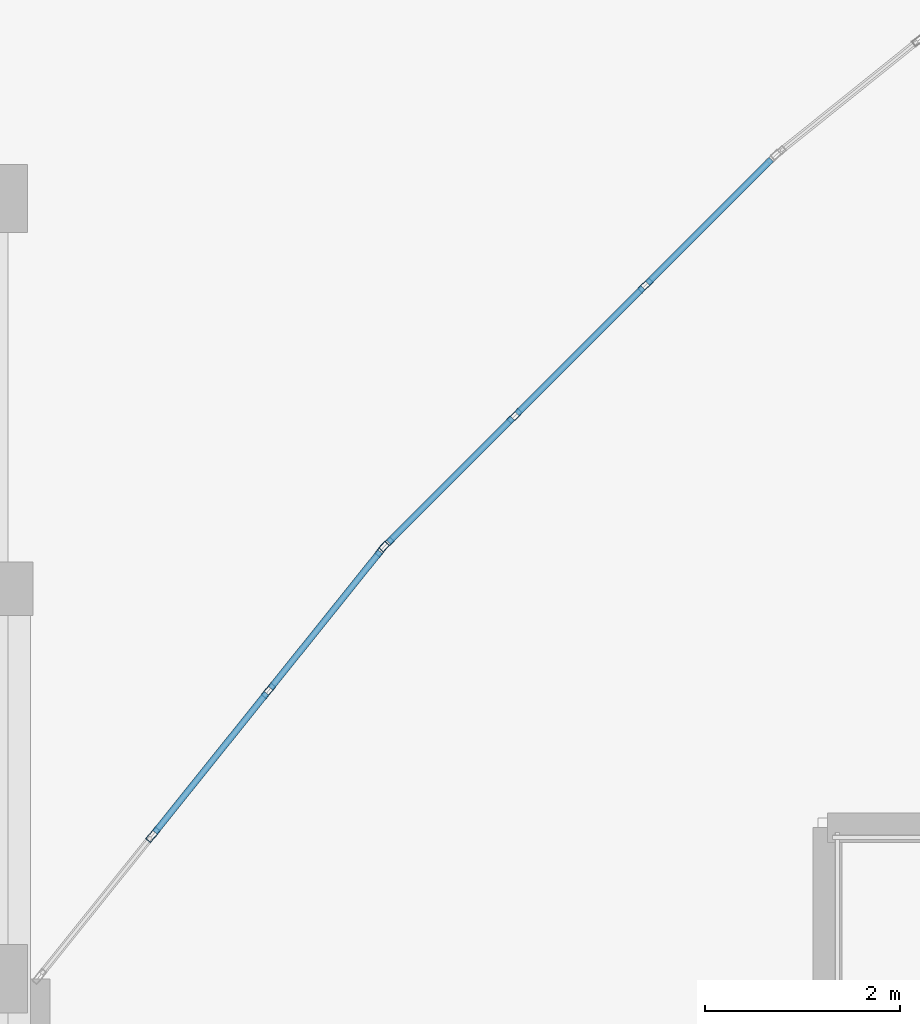
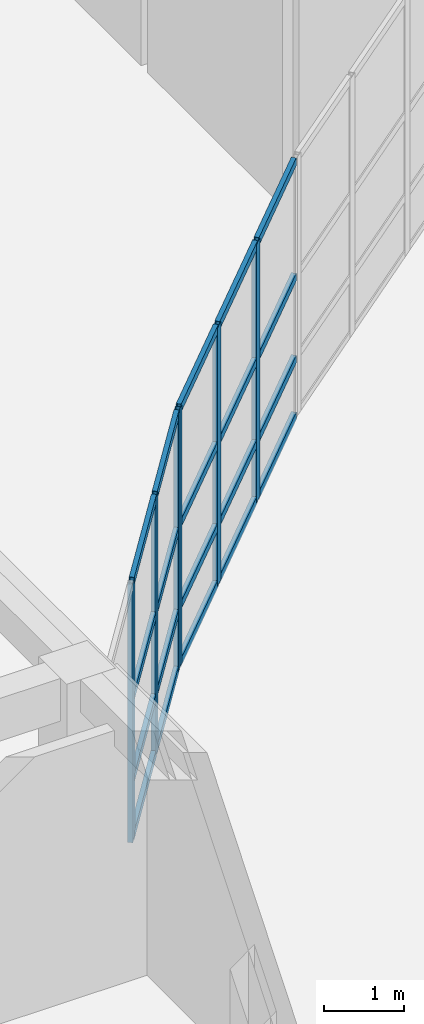
# One storey, part 40 of 114: 26 members, 2 elements without a shape of their own.
"""IFC4 building model written with IfcOpenShell, lengths in metres."""

from ifc_helpers import new_model, si_unit, direction, frame, origin, origin_2d, place, context, subcontext, project, spatial, hollow_rectangle, extrude, material, layer, layer_set, material_profile, profile_set, type_object, element, aggregate, save


model = new_model("IFC4")

# Units and contexts
model_context = context("Model", 3, precision=1e-05, world=origin(), true_north=direction((0.0, 1.0)))
body_context = subcontext(model_context, "Body", "Model", "MODEL_VIEW")
ifc_project = project(units=[si_unit("LENGTHUNIT", "METRE"), si_unit("AREAUNIT", "SQUARE_METRE"), si_unit("VOLUMEUNIT", "CUBIC_METRE"), si_unit("PLANEANGLEUNIT", "RADIAN"), si_unit("MASSUNIT", "GRAM", prefix="KILO")], contexts=[model_context])

# Site, building, storey
site_placement = place(None, origin())
site = spatial("IfcSite", under=ifc_project, at=site_placement, CompositionType="ELEMENT")
building_placement = place(site_placement, origin())
building = spatial("IfcBuilding", under=site, at=building_placement, Name="Keldmere Railside Commons", CompositionType="ELEMENT")
storey_placement = place(building_placement, origin())
storey = spatial("IfcBuildingStorey", under=building, at=storey_placement, Name="L00", CompositionType="ELEMENT", Elevation=0.0)

# Curtain wall, members
ifc_material = material(Name="Thermally Broken Aluminium", Category="aluminium")
ifc_layer_1 = layer(ifc_material, 0.159912109375, Name="Residential Ground Entrance Lobby CW 4000x3600")
ifc_layer_set_1 = layer_set([ifc_layer_1], Name="Thermally Broken Aluminium")
curtain_wall_type_1 = type_object("IfcCurtainWallType", Name="Residential Ground Entrance Lobby CW 4000x3600", PredefinedType="NOTDEFINED", material=ifc_layer_set_1)
curtain_wall_1_placement = place(storey_placement, origin())
curtain_wall_1 = element("IfcCurtainWall", 1, at=curtain_wall_1_placement, inside=storey, type_object=curtain_wall_type_1, Name="CW-10 CW-L00-085", PredefinedType="NOTDEFINED")
ifc_material_profile_1 = material_profile(ifc_material, hollow_rectangle(XDim=0.06494140625, YDim=0.159912109375, WallThickness=0.00390625, at=origin_2d()), Name="ALU-MULL-65x160")
ifc_profile_set_1 = profile_set([ifc_material_profile_1], Name="Thermally Broken Aluminium")
member_type_1 = type_object("IfcMemberType", Name="Unitised Curtain Wall Mullion 65x160", PredefinedType="MULLION", material=ifc_profile_set_1)
member_1_placement = place(storey_placement, frame((123.53369140625, 92.404541015625, 0.0), z_axis=(0.0, 0.0, 1.0), x_axis=(0.780009172323, -0.625768080915, 0.0)))
member_1 = element("IfcMember", 2, at=member_1_placement, type_object=member_type_1, Name="CW-10 mullion 1", PredefinedType="MULLION", context=body_context, shape_type="SweptSolid", body=[
    extrude(hollow_rectangle(XDim=0.06494140625, YDim=0.159912109375, WallThickness=0.00390625, at=origin_2d()), origin(), (0.0, 0.0, 1.0), 3.93994140625),
])
member_2_placement = place(storey_placement, frame((122.369384765625, 90.953369140625, 0.0), z_axis=(0.0, 0.0, 1.0), x_axis=(0.780009172323, -0.625768080915, 0.0)))
member_2 = element("IfcMember", 3, at=member_2_placement, type_object=member_type_1, Name="CW-10 mullion 2", PredefinedType="MULLION", context=body_context, shape_type="SweptSolid", body=[
    extrude(hollow_rectangle(XDim=0.06494140625, YDim=0.159912109375, WallThickness=0.00390625, at=origin_2d()), origin(), (0.0, 0.0, 1.0), 3.93994140625),
])
member_3_placement = place(storey_placement, frame((121.1845703125, 89.4765625, 0.0), z_axis=(0.0, 0.0, 1.0), x_axis=(0.780009172323, -0.625768080915, 0.0)))
member_3 = element("IfcMember", 4, at=member_3_placement, type_object=member_type_1, Name="CW-10 mullion 3", PredefinedType="MULLION", context=body_context, shape_type="SweptSolid", body=[
    extrude(hollow_rectangle(XDim=0.06494140625, YDim=0.159912109375, WallThickness=0.00390625, at=origin_2d()), origin(), (0.0, 0.0, 1.0), 3.93994140625),
])

ifc_layer_2 = layer(ifc_material, 0.159912109375, Name="Residential Lounge Frontage CW 4600x3600")
ifc_layer_set_2 = layer_set([ifc_layer_2], Name="Thermally Broken Aluminium")
curtain_wall_type_2 = type_object("IfcCurtainWallType", Name="Residential Lounge Frontage CW 4600x3600", PredefinedType="NOTDEFINED", material=ifc_layer_set_2)
curtain_wall_2_placement = place(storey_placement, origin())
curtain_wall_2 = element("IfcCurtainWall", 5, at=curtain_wall_2_placement, inside=storey, type_object=curtain_wall_type_2, Name="CW-11 CW-L00-086", PredefinedType="NOTDEFINED")
member_4_placement = place(storey_placement, frame((126.2314453125, 95.107421875, 0.0), z_axis=(0.0, 0.0, 1.0), x_axis=(0.707106781187, -0.707106781187, 0.0)))
member_4 = element("IfcMember", 6, at=member_4_placement, type_object=member_type_1, Name="CW-11 mullion 2", PredefinedType="MULLION", context=body_context, shape_type="SweptSolid", body=[
    extrude(hollow_rectangle(XDim=0.06494140625, YDim=0.159912109375, WallThickness=0.00390625, at=origin_2d()), origin(), (0.0, 0.0, 1.0), 3.93994140625),
])
member_5_placement = place(storey_placement, frame((124.892578125, 93.7685546875, 0.0), z_axis=(0.0, 0.0, 1.0), x_axis=(0.707106781187, -0.707106781187, 0.0)))
member_5 = element("IfcMember", 7, at=member_5_placement, type_object=member_type_1, Name="CW-11 mullion 3", PredefinedType="MULLION", context=body_context, shape_type="SweptSolid", body=[
    extrude(hollow_rectangle(XDim=0.06494140625, YDim=0.159912109375, WallThickness=0.00390625, at=origin_2d()), origin(), (0.0, 0.0, 1.0), 3.93994140625),
])
member_6_placement = place(storey_placement, frame((123.576904296875, 92.452880859375, 0.0), z_axis=(0.0, 0.0, 1.0), x_axis=(0.707106781187, -0.707106781187, 0.0)))
member_6 = element("IfcMember", 8, at=member_6_placement, type_object=member_type_1, Name="CW-11 mullion 4", PredefinedType="MULLION", context=body_context, shape_type="SweptSolid", body=[
    extrude(hollow_rectangle(XDim=0.06494140625, YDim=0.159912109375, WallThickness=0.00390625, at=origin_2d()), origin(), (0.0, 0.0, 1.0), 3.93994140625),
])

# Member
ifc_material_profile_2 = material_profile(ifc_material, hollow_rectangle(XDim=0.06494140625, YDim=0.1201171875, WallThickness=0.00390625, at=origin_2d()), Name="ALU-TRAN-65x120")
ifc_profile_set_2 = profile_set([ifc_material_profile_2], Name="Thermally Broken Aluminium")
member_type_2 = type_object("IfcMemberType", Name="Unitised Curtain Wall Transom 65x120", PredefinedType="USERDEFINED", material=ifc_profile_set_2)
member_7_placement = place(storey_placement, frame((123.513427734375, 92.37939453125, 0.032470703125), z_axis=(-0.625805275091, -0.779979331565, 0.0), x_axis=(0.779979331565, -0.625805275091, 0.0)))
member_7 = element("IfcMember", 9, at=member_7_placement, type_object=member_type_2, Name="CW-10 transom 1.1", ObjectType="TRANSOM", PredefinedType="USERDEFINED", context=body_context, shape_type="SweptSolid", body=[
    extrude(hollow_rectangle(XDim=0.06494140625, YDim=0.1201171875, WallThickness=0.00390625, at=origin_2d()), origin(), (0.0, 0.0, 1.0), 1.795654296875),
])

member_8_placement = place(storey_placement, frame((123.513427734375, 92.37939453125, 0.89990234375), z_axis=(-0.625805275091, -0.779979331565, 0.0), x_axis=(0.779979331565, -0.625805275091, 0.0)))
member_8 = element("IfcMember", 10, at=member_8_placement, type_object=member_type_2, Name="CW-10 transom 1.2", ObjectType="TRANSOM", PredefinedType="USERDEFINED", context=body_context, shape_type="SweptSolid", body=[
    extrude(hollow_rectangle(XDim=0.06494140625, YDim=0.1201171875, WallThickness=0.00390625, at=origin_2d()), origin(), (0.0, 0.0, 1.0), 1.795654296875),
])

member_9_placement = place(storey_placement, frame((123.513427734375, 92.37939453125, 2.14990234375), z_axis=(-0.625805275091, -0.779979331565, 0.0), x_axis=(0.779979331565, -0.625805275091, 0.0)))
member_9 = element("IfcMember", 11, at=member_9_placement, type_object=member_type_2, Name="CW-10 transom 1.3", ObjectType="TRANSOM", PredefinedType="USERDEFINED", context=body_context, shape_type="SweptSolid", body=[
    extrude(hollow_rectangle(XDim=0.06494140625, YDim=0.1201171875, WallThickness=0.00390625, at=origin_2d()), origin(), (0.0, 0.0, 1.0), 1.795654296875),
])

member_10_placement = place(storey_placement, frame((123.513427734375, 92.37939453125, 3.907470703125), z_axis=(-0.625805275091, -0.779979331565, 0.0), x_axis=(0.779979331565, -0.625805275091, 0.0)))
member_10 = element("IfcMember", 12, at=member_10_placement, type_object=member_type_2, Name="CW-10 transom 1.4", ObjectType="TRANSOM", PredefinedType="USERDEFINED", context=body_context, shape_type="SweptSolid", body=[
    extrude(hollow_rectangle(XDim=0.06494140625, YDim=0.1201171875, WallThickness=0.00390625, at=origin_2d()), origin(), (0.0, 0.0, 1.0), 1.795654296875),
])

member_11_placement = place(storey_placement, frame((122.348876953125, 90.927978515625, 0.032470703125), z_axis=(-0.625688033635, -0.78007338409, 0.0), x_axis=(0.78007338409, -0.625688033635, 0.0)))
member_11 = element("IfcMember", 13, at=member_11_placement, type_object=member_type_2, Name="CW-10 transom 2.1", ObjectType="TRANSOM", PredefinedType="USERDEFINED", context=body_context, shape_type="SweptSolid", body=[
    extrude(hollow_rectangle(XDim=0.06494140625, YDim=0.1201171875, WallThickness=0.00390625, at=origin_2d()), origin(), (0.0, 0.0, 1.0), 1.828125),
])

member_12_placement = place(storey_placement, frame((122.348876953125, 90.927978515625, 0.89990234375), z_axis=(-0.625688033635, -0.78007338409, 0.0), x_axis=(0.78007338409, -0.625688033635, 0.0)))
member_12 = element("IfcMember", 14, at=member_12_placement, type_object=member_type_2, Name="CW-10 transom 2.2", ObjectType="TRANSOM", PredefinedType="USERDEFINED", context=body_context, shape_type="SweptSolid", body=[
    extrude(hollow_rectangle(XDim=0.06494140625, YDim=0.1201171875, WallThickness=0.00390625, at=origin_2d()), origin(), (0.0, 0.0, 1.0), 1.828125),
])

member_13_placement = place(storey_placement, frame((122.348876953125, 90.927978515625, 2.14990234375), z_axis=(-0.625688033635, -0.78007338409, 0.0), x_axis=(0.78007338409, -0.625688033635, 0.0)))
member_13 = element("IfcMember", 15, at=member_13_placement, type_object=member_type_2, Name="CW-10 transom 2.3", ObjectType="TRANSOM", PredefinedType="USERDEFINED", context=body_context, shape_type="SweptSolid", body=[
    extrude(hollow_rectangle(XDim=0.06494140625, YDim=0.1201171875, WallThickness=0.00390625, at=origin_2d()), origin(), (0.0, 0.0, 1.0), 1.828125),
])

member_14_placement = place(storey_placement, frame((122.348876953125, 90.927978515625, 3.907470703125), z_axis=(-0.625688033635, -0.78007338409, 0.0), x_axis=(0.78007338409, -0.625688033635, 0.0)))
member_14 = element("IfcMember", 16, at=member_14_placement, type_object=member_type_2, Name="CW-10 transom 2.4", ObjectType="TRANSOM", PredefinedType="USERDEFINED", context=body_context, shape_type="SweptSolid", body=[
    extrude(hollow_rectangle(XDim=0.06494140625, YDim=0.1201171875, WallThickness=0.00390625, at=origin_2d()), origin(), (0.0, 0.0, 1.0), 1.828125),
])

aggregate(curtain_wall_1, [member_1, member_2, member_3, member_7, member_8, member_9, member_10, member_11, member_12, member_13, member_14])

member_15_placement = place(storey_placement, frame((127.52392578125, 96.400146484375, 0.032470703125), z_axis=(-0.707038793419, -0.707174762418, 0.0), x_axis=(0.707174762418, -0.707038793419, 0.0)))
member_15 = element("IfcMember", 17, at=member_15_placement, type_object=member_type_2, Name="CW-11 transom 1.1", ObjectType="TRANSOM", PredefinedType="USERDEFINED", context=body_context, shape_type="SweptSolid", body=[
    extrude(hollow_rectangle(XDim=0.06494140625, YDim=0.1201171875, WallThickness=0.00390625, at=origin_2d()), origin(), (0.0, 0.0, 1.0), 1.795654296875),
])

member_16_placement = place(storey_placement, frame((127.52392578125, 96.400146484375, 0.89990234375), z_axis=(-0.707038793419, -0.707174762418, 0.0), x_axis=(0.707174762418, -0.707038793419, 0.0)))
member_16 = element("IfcMember", 18, at=member_16_placement, type_object=member_type_2, Name="CW-11 transom 1.2", ObjectType="TRANSOM", PredefinedType="USERDEFINED", context=body_context, shape_type="SweptSolid", body=[
    extrude(hollow_rectangle(XDim=0.06494140625, YDim=0.1201171875, WallThickness=0.00390625, at=origin_2d()), origin(), (0.0, 0.0, 1.0), 1.795654296875),
])

member_17_placement = place(storey_placement, frame((127.52392578125, 96.400146484375, 2.14990234375), z_axis=(-0.707038793419, -0.707174762418, 0.0), x_axis=(0.707174762418, -0.707038793419, 0.0)))
member_17 = element("IfcMember", 19, at=member_17_placement, type_object=member_type_2, Name="CW-11 transom 1.3", ObjectType="TRANSOM", PredefinedType="USERDEFINED", context=body_context, shape_type="SweptSolid", body=[
    extrude(hollow_rectangle(XDim=0.06494140625, YDim=0.1201171875, WallThickness=0.00390625, at=origin_2d()), origin(), (0.0, 0.0, 1.0), 1.795654296875),
])

member_18_placement = place(storey_placement, frame((127.52392578125, 96.400146484375, 3.907470703125), z_axis=(-0.707038793419, -0.707174762418, 0.0), x_axis=(0.707174762418, -0.707038793419, 0.0)))
member_18 = element("IfcMember", 20, at=member_18_placement, type_object=member_type_2, Name="CW-11 transom 1.4", ObjectType="TRANSOM", PredefinedType="USERDEFINED", context=body_context, shape_type="SweptSolid", body=[
    extrude(hollow_rectangle(XDim=0.06494140625, YDim=0.1201171875, WallThickness=0.00390625, at=origin_2d()), origin(), (0.0, 0.0, 1.0), 1.795654296875),
])

member_19_placement = place(storey_placement, frame((126.208251953125, 95.08447265625, 0.032470703125), z_axis=(-0.707106781187, -0.707106781187, 0.0), x_axis=(0.707106781187, -0.707106781187, 0.0)))
member_19 = element("IfcMember", 21, at=member_19_placement, type_object=member_type_2, Name="CW-11 transom 2.1", ObjectType="TRANSOM", PredefinedType="USERDEFINED", context=body_context, shape_type="SweptSolid", body=[
    extrude(hollow_rectangle(XDim=0.06494140625, YDim=0.1201171875, WallThickness=0.00390625, at=origin_2d()), origin(), (0.0, 0.0, 1.0), 1.828125),
])

member_20_placement = place(storey_placement, frame((126.208251953125, 95.08447265625, 0.89990234375), z_axis=(-0.707106781187, -0.707106781187, 0.0), x_axis=(0.707106781187, -0.707106781187, 0.0)))
member_20 = element("IfcMember", 22, at=member_20_placement, type_object=member_type_2, Name="CW-11 transom 2.2", ObjectType="TRANSOM", PredefinedType="USERDEFINED", context=body_context, shape_type="SweptSolid", body=[
    extrude(hollow_rectangle(XDim=0.06494140625, YDim=0.1201171875, WallThickness=0.00390625, at=origin_2d()), origin(), (0.0, 0.0, 1.0), 1.828125),
])

member_21_placement = place(storey_placement, frame((126.208251953125, 95.08447265625, 2.14990234375), z_axis=(-0.707106781187, -0.707106781187, 0.0), x_axis=(0.707106781187, -0.707106781187, 0.0)))
member_21 = element("IfcMember", 23, at=member_21_placement, type_object=member_type_2, Name="CW-11 transom 2.3", ObjectType="TRANSOM", PredefinedType="USERDEFINED", context=body_context, shape_type="SweptSolid", body=[
    extrude(hollow_rectangle(XDim=0.06494140625, YDim=0.1201171875, WallThickness=0.00390625, at=origin_2d()), origin(), (0.0, 0.0, 1.0), 1.828125),
])

member_22_placement = place(storey_placement, frame((126.208251953125, 95.08447265625, 3.907470703125), z_axis=(-0.707106781187, -0.707106781187, 0.0), x_axis=(0.707106781187, -0.707106781187, 0.0)))
member_22 = element("IfcMember", 24, at=member_22_placement, type_object=member_type_2, Name="CW-11 transom 2.4", ObjectType="TRANSOM", PredefinedType="USERDEFINED", context=body_context, shape_type="SweptSolid", body=[
    extrude(hollow_rectangle(XDim=0.06494140625, YDim=0.1201171875, WallThickness=0.00390625, at=origin_2d()), origin(), (0.0, 0.0, 1.0), 1.828125),
])

member_23_placement = place(storey_placement, frame((124.86962890625, 93.74560546875, 0.032470703125), z_axis=(-0.707174762418, -0.707038793419, 0.0), x_axis=(0.707038793419, -0.707174762418, 0.0)))
member_23 = element("IfcMember", 25, at=member_23_placement, type_object=member_type_2, Name="CW-11 transom 3.1", ObjectType="TRANSOM", PredefinedType="USERDEFINED", context=body_context, shape_type="SweptSolid", body=[
    extrude(hollow_rectangle(XDim=0.06494140625, YDim=0.1201171875, WallThickness=0.00390625, at=origin_2d()), origin(), (0.0, 0.0, 1.0), 1.795654296875),
])

member_24_placement = place(storey_placement, frame((124.86962890625, 93.74560546875, 0.89990234375), z_axis=(-0.707174762418, -0.707038793419, 0.0), x_axis=(0.707038793419, -0.707174762418, 0.0)))
member_24 = element("IfcMember", 26, at=member_24_placement, type_object=member_type_2, Name="CW-11 transom 3.2", ObjectType="TRANSOM", PredefinedType="USERDEFINED", context=body_context, shape_type="SweptSolid", body=[
    extrude(hollow_rectangle(XDim=0.06494140625, YDim=0.1201171875, WallThickness=0.00390625, at=origin_2d()), origin(), (0.0, 0.0, 1.0), 1.795654296875),
])

member_25_placement = place(storey_placement, frame((124.86962890625, 93.74560546875, 2.14990234375), z_axis=(-0.707174762418, -0.707038793419, 0.0), x_axis=(0.707038793419, -0.707174762418, 0.0)))
member_25 = element("IfcMember", 27, at=member_25_placement, type_object=member_type_2, Name="CW-11 transom 3.3", ObjectType="TRANSOM", PredefinedType="USERDEFINED", context=body_context, shape_type="SweptSolid", body=[
    extrude(hollow_rectangle(XDim=0.06494140625, YDim=0.1201171875, WallThickness=0.00390625, at=origin_2d()), origin(), (0.0, 0.0, 1.0), 1.795654296875),
])

member_26_placement = place(storey_placement, frame((124.86962890625, 93.74560546875, 3.907470703125), z_axis=(-0.707174762418, -0.707038793419, 0.0), x_axis=(0.707038793419, -0.707174762418, 0.0)))
member_26 = element("IfcMember", 28, at=member_26_placement, type_object=member_type_2, Name="CW-11 transom 3.4", ObjectType="TRANSOM", PredefinedType="USERDEFINED", context=body_context, shape_type="SweptSolid", body=[
    extrude(hollow_rectangle(XDim=0.06494140625, YDim=0.1201171875, WallThickness=0.00390625, at=origin_2d()), origin(), (0.0, 0.0, 1.0), 1.795654296875),
])

aggregate(curtain_wall_2, [member_4, member_5, member_6, member_15, member_16, member_17, member_18, member_19, member_20, member_21, member_22, member_23, member_24, member_25, member_26])

save(model, "model.ifc")
